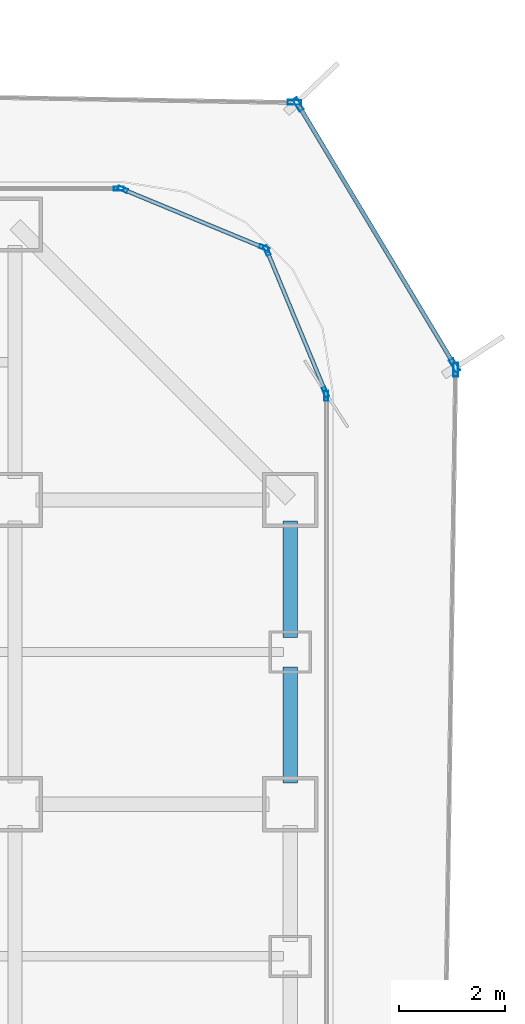
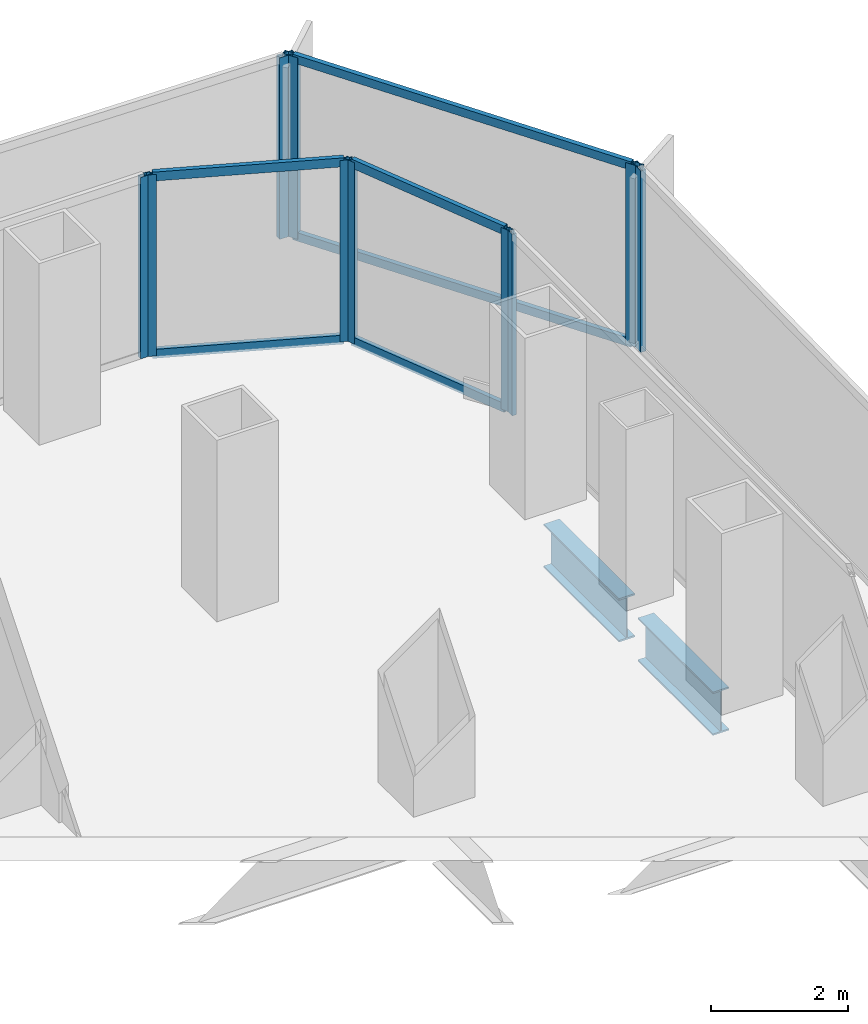
# One storey, part 15 of 22: 16 members, 2 beams, 7 elements without a shape of their own.
"""IFC4 building model written with IfcOpenShell, lengths in metres."""

from ifc_helpers import new_model, si_unit, direction, frame, origin, origin_2d, place, context, subcontext, project, spatial, hollow_rectangle, i_section, extrude, source, transform, mapped, material, layer, layer_set, material_profile, profile_set, type_object, element, aggregate, save


model = new_model("IFC4")

# Units and contexts
model_context = context("Model", 3, precision=1e-05, world=origin(), true_north=direction((0.0, 1.0)))
body_context = subcontext(model_context, "Body", "Model", "MODEL_VIEW")
ifc_project = project(units=[si_unit("LENGTHUNIT", "METRE"), si_unit("AREAUNIT", "SQUARE_METRE"), si_unit("VOLUMEUNIT", "CUBIC_METRE"), si_unit("PLANEANGLEUNIT", "RADIAN"), si_unit("MASSUNIT", "GRAM", prefix="KILO")], contexts=[model_context])

# Site, building, storey
site_placement = place(None, origin())
site = spatial("IfcSite", under=ifc_project, at=site_placement, CompositionType="ELEMENT")
building_placement = place(site_placement, origin())
building = spatial("IfcBuilding", under=site, at=building_placement, Name="Kolveth Station Tower", CompositionType="ELEMENT")
storey_placement = place(building_placement, frame((0.0, 0.0, 72.89990234375)))
storey = spatial("IfcBuildingStorey", under=building, at=storey_placement, Name="L19", CompositionType="ELEMENT", Elevation=72.89990234375)

# Beams
ifc_material_1 = material(Name="Steel S355", Category="steel")
ifc_material_profile_1 = material_profile(ifc_material_1, i_section(OverallWidth=0.26904296875, OverallDepth=0.77490234375, WebThickness=0.01708984375, FlangeThickness=0.0283203125, at=origin_2d()), Name="W760x220")
ifc_profile_set_1 = profile_set([ifc_material_profile_1], Name="Steel S355")
beam_type = type_object("IfcBeamType", Name="Beam_SP1", PredefinedType="SPANDREL", material=ifc_profile_set_1)
shared_shape_1 = source(origin(), body_context, "Body", "SweptSolid", [
    extrude(i_section(OverallWidth=0.26904296875, OverallDepth=0.77490234375, WebThickness=0.01708984375, FlangeThickness=0.0283203125, at=origin_2d()), origin(), (0.0, 0.0, 1.0), 2.2001953125),
])
beam_1_placement = place(storey_placement, frame((46.199951171875, 31.89990234375, -0.66748046875), z_axis=(0.0, 1.0, 0.0), x_axis=(-1.0, 0.0, 0.0)))
element("IfcBeam", 1, at=beam_1_placement, inside=storey, type_object=beam_type, Name="L19 Perimeter Spandrel BM-L19-PE-10", PredefinedType="SPANDREL", context=body_context, shape_type="MappedRepresentation", body=[
    mapped(shared_shape_1, transform((0.0, 0.0, 0.0), x_axis=(1.0, 0.0, 0.0), y_axis=(0.0, 1.0, 0.0), z_axis=(0.0, 0.0, 1.0), scale=1.0)),
])
shared_shape_2 = source(origin(), body_context, "Body", "SweptSolid", [
    extrude(i_section(OverallWidth=0.26904296875, OverallDepth=0.77490234375, WebThickness=0.01708984375, FlangeThickness=0.0283203125, at=origin_2d()), origin(), (0.0, 0.0, 1.0), 2.190185546875),
])
beam_2_placement = place(storey_placement, frame((46.199951171875, 29.14990234375, -0.66748046875), z_axis=(0.0, 1.0, 0.0), x_axis=(-1.0, 0.0, 0.0)))
element("IfcBeam", 2, at=beam_2_placement, inside=storey, type_object=beam_type, Name="L19 Perimeter Spandrel BM-L19-PE-9", PredefinedType="SPANDREL", context=body_context, shape_type="MappedRepresentation", body=[
    mapped(shared_shape_2, transform((0.0, 0.0, 0.0), x_axis=(1.0, 0.0, 0.0), y_axis=(0.0, 1.0, 0.0), z_axis=(0.0, 0.0, 1.0), scale=1.0)),
])

# Curtain wall, members
ifc_material_2 = material(Name="Aluminium 6063-T6 and low-E dark glass", Category="aluminium")
ifc_layer_1 = layer(ifc_material_2, 0.179931640625)
ifc_layer_set_1 = layer_set([ifc_layer_1], Name="Aluminium 6063-T6 and low-E dark glass")
curtain_wall_type_1 = type_object("IfcCurtainWallType", Name="CurtainWall_CW-Z1", PredefinedType="NOTDEFINED", material=ifc_layer_set_1)
curtain_wall_1_placement = place(storey_placement, origin())
curtain_wall_1 = element("IfcCurtainWall", 3, at=curtain_wall_1_placement, inside=storey, type_object=curtain_wall_type_1, Name="L19 Inner Thermal Curtain Wall 4", PredefinedType="NOTDEFINED")
ifc_material_3 = material(Name="Black anodized aluminium 6063-T6", Category="aluminium")
ifc_material_profile_2 = material_profile(ifc_material_3, hollow_rectangle(XDim=0.074951171875, YDim=0.159912109375, WallThickness=0.0048828125, at=origin_2d()), Name="ALU-75x160x5")
ifc_profile_set_2 = profile_set([ifc_material_profile_2], Name="Black anodized aluminium 6063-T6")
member_type_1 = type_object("IfcMemberType", Name="Transom_TR1", PredefinedType="USERDEFINED", material=ifc_profile_set_2)
shared_shape_3 = source(origin(), body_context, "Body", "SweptSolid", [
    extrude(hollow_rectangle(XDim=0.074951171875, YDim=0.159912109375, WallThickness=0.0048828125, at=origin_2d()), origin(), (0.0, 0.0, 1.0), 2.819580078125),
])
member_1_placement = place(storey_placement, frame((46.851318359375, 36.5693359375, 0.03759765625), z_axis=(-0.382708655389, 0.923869084389, 0.0), x_axis=(-0.923869084389, -0.382708655389, 0.0)))
member_1 = element("IfcMember", 4, at=member_1_placement, type_object=member_type_1, Name="CW-Z1 transom 1.1", ObjectType="TRANSOM", PredefinedType="USERDEFINED", context=body_context, shape_type="MappedRepresentation", body=[
    mapped(shared_shape_3, transform((0.0, 0.0, 0.0), x_axis=(1.0, 0.0, 0.0), y_axis=(0.0, 1.0, 0.0), z_axis=(0.0, 0.0, 1.0), scale=1.0)),
])
member_2_placement = place(storey_placement, frame((46.851318359375, 36.5693359375, 3.20263671875), z_axis=(-0.382708655389, 0.923869084389, 0.0), x_axis=(-0.923869084389, -0.382708655389, 0.0)))
member_2 = element("IfcMember", 5, at=member_2_placement, type_object=member_type_1, Name="CW-Z1 transom 1.2", ObjectType="TRANSOM", PredefinedType="USERDEFINED", context=body_context, shape_type="MappedRepresentation", body=[
    mapped(shared_shape_3, transform((0.0, 0.0, 0.0), x_axis=(1.0, 0.0, 0.0), y_axis=(0.0, 1.0, 0.0), z_axis=(0.0, 0.0, 1.0), scale=1.0)),
])

curtain_wall_2_placement = place(storey_placement, origin())
curtain_wall_2 = element("IfcCurtainWall", 6, at=curtain_wall_2_placement, inside=storey, type_object=curtain_wall_type_1, Name="L19 Inner Thermal Curtain Wall 5", PredefinedType="NOTDEFINED")
member_3_placement = place(storey_placement, frame((45.67431640625, 39.272216796875, 0.03759765625), z_axis=(-0.923869084389, 0.382708655389, 0.0), x_axis=(-0.382708655389, -0.923869084389, 0.0)))
member_3 = element("IfcMember", 7, at=member_3_placement, type_object=member_type_1, Name="CW-Z1 transom 1.1", ObjectType="TRANSOM", PredefinedType="USERDEFINED", context=body_context, shape_type="MappedRepresentation", body=[
    mapped(shared_shape_3, transform((0.0, 0.0, 0.0), x_axis=(1.0, 0.0, 0.0), y_axis=(0.0, 1.0, 0.0), z_axis=(0.0, 0.0, 1.0), scale=1.0)),
])
member_4_placement = place(storey_placement, frame((45.67431640625, 39.272216796875, 3.20263671875), z_axis=(-0.923869084389, 0.382708655389, 0.0), x_axis=(-0.382708655389, -0.923869084389, 0.0)))
member_4 = element("IfcMember", 8, at=member_4_placement, type_object=member_type_1, Name="CW-Z1 transom 1.2", ObjectType="TRANSOM", PredefinedType="USERDEFINED", context=body_context, shape_type="MappedRepresentation", body=[
    mapped(shared_shape_3, transform((0.0, 0.0, 0.0), x_axis=(1.0, 0.0, 0.0), y_axis=(0.0, 1.0, 0.0), z_axis=(0.0, 0.0, 1.0), scale=1.0)),
])

# Curtain wall, member
curtain_wall_3_placement = place(storey_placement, origin())
curtain_wall_3 = element("IfcCurtainWall", 9, at=curtain_wall_3_placement, inside=storey, type_object=curtain_wall_type_1, Name="L19 Inner Thermal Curtain Wall 3", PredefinedType="NOTDEFINED")
ifc_material_profile_3 = material_profile(ifc_material_3, hollow_rectangle(XDim=0.074951171875, YDim=0.18994140625, WallThickness=0.0048828125, at=origin_2d()), Name="ALU-75x190x5")
ifc_profile_set_3 = profile_set([ifc_material_profile_3], Name="Black anodized aluminium 6063-T6")
member_type_2 = type_object("IfcMemberType", Name="Mullion_ML1", PredefinedType="MULLION", material=ifc_profile_set_3)
shared_shape_4 = source(origin(), body_context, "Body", "SweptSolid", [
    extrude(hollow_rectangle(XDim=0.074951171875, YDim=0.18994140625, WallThickness=0.0048828125, at=origin_2d()), origin(), (0.0, 0.0, 1.0), 3.239990234375),
])
member_5_placement = place(storey_placement, frame((46.8798828125, 36.46240234375, 0.0), z_axis=(0.0, 0.0, 1.0), x_axis=(-1.0, 0.0, 0.0)))
member_5 = element("IfcMember", 10, at=member_5_placement, type_object=member_type_2, Name="CW-Z1 mullion 2", PredefinedType="MULLION", context=body_context, shape_type="MappedRepresentation", body=[
    mapped(shared_shape_4, transform((0.0, 0.0, 0.0), x_axis=(1.0, 0.0, 0.0), y_axis=(0.0, 1.0, 0.0), z_axis=(0.0, 0.0, 1.0), scale=1.0)),
])
aggregate(curtain_wall_3, [member_5])

# Member
member_6_placement = place(storey_placement, frame((46.86572265625, 36.53466796875, 0.0), z_axis=(0.0, 0.0, 1.0), x_axis=(-0.923883857728, -0.382672990201, 0.0)))
member_6 = element("IfcMember", 11, at=member_6_placement, type_object=member_type_2, Name="CW-Z1 mullion 1", PredefinedType="MULLION", context=body_context, shape_type="MappedRepresentation", body=[
    mapped(shared_shape_4, transform((0.0, 0.0, 0.0), x_axis=(1.0, 0.0, 0.0), y_axis=(0.0, 1.0, 0.0), z_axis=(0.0, 0.0, 1.0), scale=1.0)),
])

member_7_placement = place(storey_placement, frame((45.758056640625, 39.208984375, 0.0), z_axis=(0.0, 0.0, 1.0), x_axis=(-0.923883857728, -0.382672990201, 0.0)))
member_7 = element("IfcMember", 12, at=member_7_placement, type_object=member_type_2, Name="CW-Z1 mullion 2", PredefinedType="MULLION", context=body_context, shape_type="MappedRepresentation", body=[
    mapped(shared_shape_4, transform((0.0, 0.0, 0.0), x_axis=(1.0, 0.0, 0.0), y_axis=(0.0, 1.0, 0.0), z_axis=(0.0, 0.0, 1.0), scale=1.0)),
])

aggregate(curtain_wall_1, [member_6, member_7, member_1, member_2])

member_8_placement = place(storey_placement, frame((45.708984375, 39.258056640625, 0.0), z_axis=(0.0, 0.0, 1.0), x_axis=(-0.382672990201, -0.923883857728, 0.0)))
member_8 = element("IfcMember", 13, at=member_8_placement, type_object=member_type_2, Name="CW-Z1 mullion 1", PredefinedType="MULLION", context=body_context, shape_type="MappedRepresentation", body=[
    mapped(shared_shape_4, transform((0.0, 0.0, 0.0), x_axis=(1.0, 0.0, 0.0), y_axis=(0.0, 1.0, 0.0), z_axis=(0.0, 0.0, 1.0), scale=1.0)),
])

member_9_placement = place(storey_placement, frame((43.03466796875, 40.36572265625, 0.0), z_axis=(0.0, 0.0, 1.0), x_axis=(-0.382672990201, -0.923883857728, 0.0)))
member_9 = element("IfcMember", 14, at=member_9_placement, type_object=member_type_2, Name="CW-Z1 mullion 2", PredefinedType="MULLION", context=body_context, shape_type="MappedRepresentation", body=[
    mapped(shared_shape_4, transform((0.0, 0.0, 0.0), x_axis=(1.0, 0.0, 0.0), y_axis=(0.0, 1.0, 0.0), z_axis=(0.0, 0.0, 1.0), scale=1.0)),
])

aggregate(curtain_wall_2, [member_8, member_9, member_3, member_4])

# Curtain wall, member
curtain_wall_4_placement = place(storey_placement, origin())
curtain_wall_4 = element("IfcCurtainWall", 15, at=curtain_wall_4_placement, inside=storey, type_object=curtain_wall_type_1, Name="L19 Inner Thermal Curtain Wall 6", PredefinedType="NOTDEFINED")
member_10_placement = place(storey_placement, frame((42.96240234375, 40.3798828125, 0.0), z_axis=(0.0, 0.0, 1.0), x_axis=(0.0, -1.0, 0.0)))
member_10 = element("IfcMember", 16, at=member_10_placement, type_object=member_type_2, Name="CW-Z1 mullion 1", PredefinedType="MULLION", context=body_context, shape_type="MappedRepresentation", body=[
    mapped(shared_shape_4, transform((0.0, 0.0, 0.0), x_axis=(1.0, 0.0, 0.0), y_axis=(0.0, 1.0, 0.0), z_axis=(0.0, 0.0, 1.0), scale=1.0)),
])
aggregate(curtain_wall_4, [member_10])

ifc_material_4 = material(Name="Black anodized aluminium 6063-T6 and dark solar glass", Category="aluminium")
ifc_layer_2 = layer(ifc_material_4, 0.159912109375)
ifc_layer_set_2 = layer_set([ifc_layer_2], Name="Black anodized aluminium 6063-T6 and dark solar glass")
curtain_wall_type_2 = type_object("IfcCurtainWallType", Name="OUTER SKIN CW-OS", PredefinedType="NOTDEFINED", material=ifc_layer_set_2)
curtain_wall_5_placement = place(storey_placement, origin())
curtain_wall_5 = element("IfcCurtainWall", 17, at=curtain_wall_5_placement, inside=storey, type_object=curtain_wall_type_2, Name="L19 Outer Ventilated Skin Curtain Wall 2", PredefinedType="NOTDEFINED")
ifc_material_profile_4 = material_profile(ifc_material_3, hollow_rectangle(XDim=0.090087890625, YDim=0.260009765625, WallThickness=0.0048828125, at=origin_2d()), Name="ALU-90x260x5")
ifc_profile_set_4 = profile_set([ifc_material_profile_4], Name="Black anodized aluminium 6063-T6")
member_type_3 = type_object("IfcMemberType", Name="FIN MULLION ML-OS", PredefinedType="MULLION", material=ifc_profile_set_4)
shared_shape_5 = source(origin(), body_context, "Body", "SweptSolid", [
    extrude(hollow_rectangle(XDim=0.090087890625, YDim=0.260009765625, WallThickness=0.0048828125, at=origin_2d()), origin(), (0.0, 0.0, 1.0), 3.239990234375),
])
member_11_placement = place(storey_placement, frame((49.325927734375, 36.95654296875, 0.0), z_axis=(0.0, 0.0, 1.0), x_axis=(-0.999887871848, 0.014974769827, 0.0)))
member_11 = element("IfcMember", 18, at=member_11_placement, type_object=member_type_3, Name="CW-OS mullion 2", PredefinedType="MULLION", context=body_context, shape_type="MappedRepresentation", body=[
    mapped(shared_shape_5, transform((0.0, 0.0, 0.0), x_axis=(1.0, 0.0, 0.0), y_axis=(0.0, 1.0, 0.0), z_axis=(0.0, 0.0, 1.0), scale=1.0)),
])
aggregate(curtain_wall_5, [member_11])

# Curtain wall, members
curtain_wall_6_placement = place(storey_placement, origin())
curtain_wall_6 = element("IfcCurtainWall", 19, at=curtain_wall_6_placement, inside=storey, type_object=curtain_wall_type_2, Name="L19 Outer Ventilated Skin Curtain Wall 3", PredefinedType="NOTDEFINED")
member_12_placement = place(storey_placement, frame((49.303466796875, 37.0400390625, 0.0), z_axis=(0.0, 0.0, 1.0), x_axis=(-0.857591192371, -0.514331942201, 0.0)))
member_12 = element("IfcMember", 20, at=member_12_placement, type_object=member_type_3, Name="CW-OS mullion 1", PredefinedType="MULLION", context=body_context, shape_type="MappedRepresentation", body=[
    mapped(shared_shape_5, transform((0.0, 0.0, 0.0), x_axis=(1.0, 0.0, 0.0), y_axis=(0.0, 1.0, 0.0), z_axis=(0.0, 0.0, 1.0), scale=1.0)),
])
member_13_placement = place(storey_placement, frame((46.348388671875, 41.967529296875, 0.0), z_axis=(0.0, 0.0, 1.0), x_axis=(-0.857591192371, -0.514331942201, 0.0)))
member_13 = element("IfcMember", 21, at=member_13_placement, type_object=member_type_3, Name="CW-OS mullion 2", PredefinedType="MULLION", context=body_context, shape_type="MappedRepresentation", body=[
    mapped(shared_shape_5, transform((0.0, 0.0, 0.0), x_axis=(1.0, 0.0, 0.0), y_axis=(0.0, 1.0, 0.0), z_axis=(0.0, 0.0, 1.0), scale=1.0)),
])

# Curtain wall, member
curtain_wall_7_placement = place(storey_placement, origin())
curtain_wall_7 = element("IfcCurtainWall", 22, at=curtain_wall_7_placement, inside=storey, type_object=curtain_wall_type_2, Name="L19 Outer Ventilated Skin Curtain Wall 4", PredefinedType="NOTDEFINED")
member_14_placement = place(storey_placement, frame((46.2802734375, 42.0068359375, 0.0), z_axis=(0.0, 0.0, 1.0), x_axis=(-0.016902817147, -0.999857137181, 0.0)))
member_14 = element("IfcMember", 23, at=member_14_placement, type_object=member_type_3, Name="CW-OS mullion 1", PredefinedType="MULLION", context=body_context, shape_type="MappedRepresentation", body=[
    mapped(shared_shape_5, transform((0.0, 0.0, 0.0), x_axis=(1.0, 0.0, 0.0), y_axis=(0.0, 1.0, 0.0), z_axis=(0.0, 0.0, 1.0), scale=1.0)),
])
aggregate(curtain_wall_7, [member_14])

# Member
ifc_material_profile_5 = material_profile(ifc_material_3, hollow_rectangle(XDim=0.080078125, YDim=0.14990234375, WallThickness=0.0048828125, at=origin_2d()), Name="ALU-80x150x5")
ifc_profile_set_5 = profile_set([ifc_material_profile_5], Name="Black anodized aluminium 6063-T6")
member_type_4 = type_object("IfcMemberType", Name="Transom_TR-OS", PredefinedType="USERDEFINED", material=ifc_profile_set_5)
shared_shape_6 = source(origin(), body_context, "Body", "SweptSolid", [
    extrude(hollow_rectangle(XDim=0.080078125, YDim=0.14990234375, WallThickness=0.0048828125, at=origin_2d()), origin(), (0.0, 0.0, 1.0), 5.655517578125),
])
member_15_placement = place(storey_placement, frame((49.280517578125, 37.07861328125, 0.0400390625), z_axis=(-0.514349737701, 0.857580519443, 0.0), x_axis=(-0.857580519443, -0.514349737701, 0.0)))
member_15 = element("IfcMember", 24, at=member_15_placement, type_object=member_type_4, Name="CW-OS transom 1.1", ObjectType="TRANSOM", PredefinedType="USERDEFINED", context=body_context, shape_type="MappedRepresentation", body=[
    mapped(shared_shape_6, transform((0.0, 0.0, 0.0), x_axis=(1.0, 0.0, 0.0), y_axis=(0.0, 1.0, 0.0), z_axis=(0.0, 0.0, 1.0), scale=1.0)),
])

member_16_placement = place(storey_placement, frame((49.280517578125, 37.07861328125, 3.2001953125), z_axis=(-0.514349737701, 0.857580519443, 0.0), x_axis=(-0.857580519443, -0.514349737701, 0.0)))
member_16 = element("IfcMember", 25, at=member_16_placement, type_object=member_type_4, Name="CW-OS transom 1.2", ObjectType="TRANSOM", PredefinedType="USERDEFINED", context=body_context, shape_type="MappedRepresentation", body=[
    mapped(shared_shape_6, transform((0.0, 0.0, 0.0), x_axis=(1.0, 0.0, 0.0), y_axis=(0.0, 1.0, 0.0), z_axis=(0.0, 0.0, 1.0), scale=1.0)),
])

aggregate(curtain_wall_6, [member_12, member_13, member_15, member_16])

save(model, "model.ifc")
